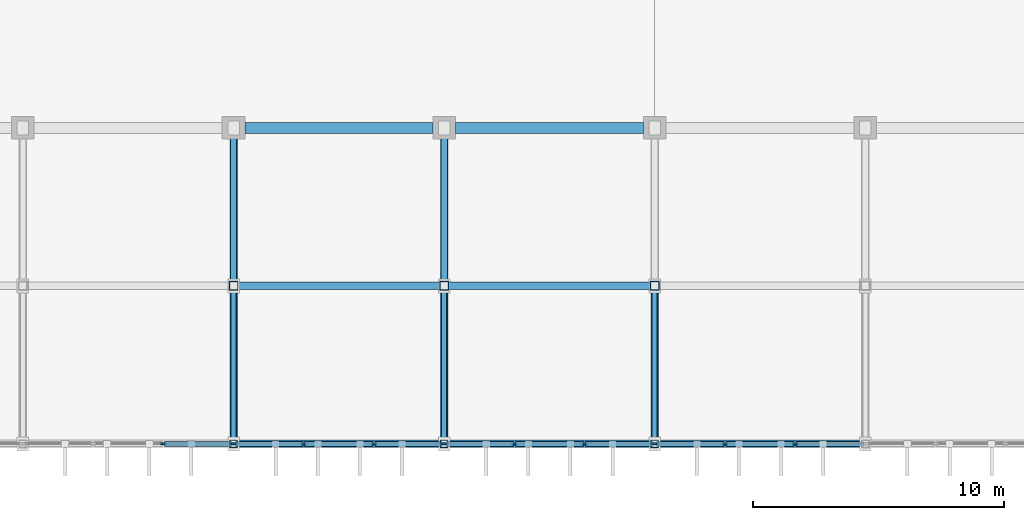
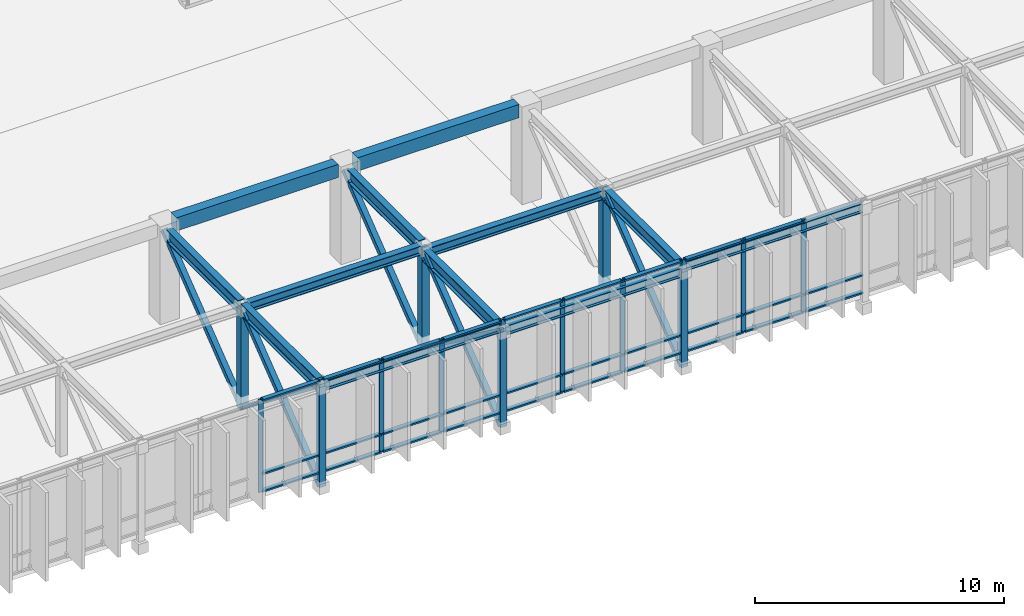
# One storey, part 11 of 51: 56 members, 12 beams, 4 elements without a shape of their own.
"""IFC4 building model written with IfcOpenShell, lengths in metres."""

import ifcopenshell
import ifcopenshell.guid

model = None  # the IFC model being written
_history = None  # IfcOwnerHistory: only IFC2X3 demands one
_inside = {}  # id of a spatial element -> (the spatial element, [elements in it])
_under = {}  # id of a project, library or spatial element -> (it, [spatial elements below it])
_declared = {}  # id of a project -> (the project, [libraries it declares])
_typed = {}  # id of a type object -> (the type object, [elements of that type])
_made_of = {}  # id of a material, layer set ... -> (it, [elements and type objects made of it])


def new_model(schema):
    """Start an empty IFC model of exactly this schema.

    Asked for "IFC4X3", IfcOpenShell would pick the latest addendum, in which some entities
    have other attributes; the version numbers below select the first issue.
    IFC2X3 requires an IfcOwnerHistory on every rooted entity: one is made here for all.
    """
    global model, _history
    if schema == "IFC4X3":
        model = ifcopenshell.file(schema_version=(4, 3, 0, 0))
    else:
        model = ifcopenshell.file(schema=schema)
    _inside.clear()
    _under.clear()
    _declared.clear()
    _typed.clear()
    _made_of.clear()
    _history = None
    if model.schema == "IFC2X3":
        org = make("IfcOrganization", Name="unknown")
        user = make(
            "IfcPersonAndOrganization",
            ThePerson=make("IfcPerson", FamilyName="unknown"),
            TheOrganization=org,
        )
        app = make(
            "IfcApplication",
            ApplicationDeveloper=org,
            Version="unknown",
            ApplicationFullName="unknown",
            ApplicationIdentifier="unknown",
        )
        _history = make(
            "IfcOwnerHistory",
            OwningUser=user,
            OwningApplication=app,
            ChangeAction="ADDED",
            CreationDate=0,
        )
    return model


def make(cls, **values):
    """One entity of the class cls with the attributes given. An attribute that is None is left unset."""
    return model.create_entity(
        cls, **{name: value for name, value in values.items() if value is not None}
    )


def rooted(cls, **values):
    """An entity with a GlobalId (a new one), such as an element, a storey or a relation."""
    return make(cls, GlobalId=ifcopenshell.guid.new(), OwnerHistory=_history, **values)


def si_unit(unit_type, name, prefix=None):
    """IfcSIUnit, for example si_unit("LENGTHUNIT", "METRE", prefix="MILLI")."""
    return make("IfcSIUnit", UnitType=unit_type, Prefix=prefix, Name=name)


def assignment(units):
    """IfcUnitAssignment: the units of a project."""
    return None if units is None else make("IfcUnitAssignment", Units=units)


def point(xyz):
    """IfcCartesianPoint."""
    return None if xyz is None else make("IfcCartesianPoint", Coordinates=xyz)


def direction(xyz):
    """IfcDirection."""
    return None if xyz is None else make("IfcDirection", DirectionRatios=xyz)


def frame(location, z_axis=None, x_axis=None):
    """IfcAxis2Placement3D, a coordinate frame: its origin and axes. An axis left out is left unset."""
    return make(
        "IfcAxis2Placement3D",
        Location=point(location),
        Axis=direction(z_axis),
        RefDirection=direction(x_axis),
    )


def frame_2d(location, x_axis=None):
    """IfcAxis2Placement2D, a coordinate frame in the plane: its origin and x axis."""
    return make(
        "IfcAxis2Placement2D", Location=point(location), RefDirection=direction(x_axis)
    )


def origin():
    """The frame at (0, 0, 0) with its axes left unset."""
    return frame((0.0, 0.0, 0.0))


def origin_2d():
    """The frame at (0, 0) in the plane with its x axis left unset."""
    return frame_2d((0.0, 0.0))


def place(relative_to, where):
    """IfcLocalPlacement: puts the frame where relative to a parent placement (None: the world)."""
    return make(
        "IfcLocalPlacement", PlacementRelTo=relative_to, RelativePlacement=where
    )


def context(
    kind, dimensions, precision=None, world=None, true_north=None, identifier=None
):
    """IfcGeometricRepresentationContext, for example the 3D "Model" context."""
    return make(
        "IfcGeometricRepresentationContext",
        ContextIdentifier=identifier,
        ContextType=kind,
        CoordinateSpaceDimension=dimensions,
        Precision=precision,
        WorldCoordinateSystem=world,
        TrueNorth=true_north,
    )


def subcontext(parent, identifier, kind, view, scale=None):
    """IfcGeometricRepresentationSubContext, for example "Body" below "Model"."""
    return make(
        "IfcGeometricRepresentationSubContext",
        ContextIdentifier=identifier,
        ContextType=kind,
        ParentContext=parent,
        TargetScale=scale,
        TargetView=view,
    )


def project(units=None, contexts=None):
    """IfcProject with its units and contexts."""
    return rooted(
        "IfcProject",
        Name="project",
        RepresentationContexts=contexts,
        UnitsInContext=assignment(units),
    )


def spatial(cls, under=None, at=None, **own):
    """A site, building, storey or space (cls), placed at a placement, below another one or the project."""
    s = rooted(cls, ObjectPlacement=at, **own)
    if under is not None:
        _under.setdefault(under.id(), (under, []))[1].append(s)
    return s


def profile(cls, at=None, kind="AREA", **sizes):
    """A parametric profile (cls). Its sizes go by their IFC names, for example OverallWidth=200.0."""
    return make(cls, ProfileType=kind, Position=at, **sizes)


def rectangle(**sizes):
    """IfcRectangleProfileDef."""
    return profile("IfcRectangleProfileDef", **sizes)


def hollow_rectangle(**sizes):
    """IfcRectangleHollowProfileDef."""
    return profile("IfcRectangleHollowProfileDef", **sizes)


def i_section(**sizes):
    """IfcIShapeProfileDef."""
    return profile("IfcIShapeProfileDef", **sizes)


def extrude(swept, where, along, depth):
    """IfcExtrudedAreaSolid: the profile swept, set in the frame where, extruded along a direction by depth."""
    return make(
        "IfcExtrudedAreaSolid",
        SweptArea=swept,
        Position=where,
        ExtrudedDirection=direction(along),
        Depth=depth,
    )


def shape(context_of_items, identifier, shape_type, items):
    """IfcShapeRepresentation: the items that make up one representation, for example the "Body"."""
    return make(
        "IfcShapeRepresentation",
        ContextOfItems=context_of_items,
        RepresentationIdentifier=identifier,
        RepresentationType=shape_type,
        Items=items,
    )


def material(Name=None, Category=None):
    """IfcMaterial."""
    return make("IfcMaterial", Name=Name, Category=Category)


def material_profile(
    of_material, cross_section, Name=None, Category=None, Priority=None
):
    """IfcMaterialProfile: a cross section and its material."""
    return make(
        "IfcMaterialProfile",
        Name=Name,
        Material=of_material,
        Profile=cross_section,
        Priority=Priority,
        Category=Category,
    )


def profile_set(profiles, Name=None, composite=None):
    """IfcMaterialProfileSet."""
    return make(
        "IfcMaterialProfileSet",
        Name=Name,
        MaterialProfiles=profiles,
        CompositeProfile=composite,
    )


def made_of(thing, what):
    """Note that an element or type object is made of a material, layer set ...; save() writes the relation."""
    if what is not None:
        _made_of.setdefault(what.id(), (what, []))[1].append(thing)
    return thing


def type_object(cls, material=None, **own):
    """A type object (cls), such as IfcWallType, which elements share."""
    return made_of(rooted(cls, **own), material)


def element(
    cls,
    number,
    at=None,
    inside=None,
    cuts=None,
    type_object=None,
    material=None,
    context=None,
    identifier="Body",
    shape_type=None,
    held_by="IfcProductDefinitionShape",
    body=None,
    shapes=None,
    **own,
):
    """One element of the class cls, such as IfcWall. Its Tag is "e" and its number.

    at: its placement. inside: the storey or other place that contains it. cuts: it is an
    opening in that element (IfcRelVoidsElement). A single representation is given by context,
    identifier, shape_type and body (its items); several are given by shapes. held_by: the class
    of the entity that holds the representations. save() writes the other relations.
    """
    e = rooted(cls, Tag="e%d" % number, ObjectPlacement=at, **own)
    if body is not None:
        shapes = [shape(context, identifier, shape_type, body)]
    if shapes is not None:
        e.Representation = make(held_by, Representations=shapes)
    if inside is not None:
        _inside.setdefault(inside.id(), (inside, []))[1].append(e)
    if cuts is not None:
        rooted(
            "IfcRelVoidsElement", RelatingBuildingElement=cuts, RelatedOpeningElement=e
        )
    if type_object is not None:
        _typed.setdefault(type_object.id(), (type_object, []))[1].append(e)
    return made_of(e, material)


def aggregate(whole, parts):
    """IfcRelAggregates: a whole, such as a stair, and the parts it consists of."""
    return rooted("IfcRelAggregates", RelatingObject=whole, RelatedObjects=parts)


def save(model, path):
    """Write the relations noted so far, then the file.

    IfcRelAggregates (storeys below a building ...), IfcRelContainedInSpatialStructure (elements
    in a storey), IfcRelDefinesByType, IfcRelAssociatesMaterial and IfcRelDeclares: one each for
    every whole, place, type object, material and project.
    """
    for whole, parts in _under.values():
        aggregate(whole, parts)
    for where, things in _inside.values():
        rooted(
            "IfcRelContainedInSpatialStructure",
            RelatedElements=things,
            RelatingStructure=where,
        )
    for kind, things in _typed.values():
        rooted("IfcRelDefinesByType", RelatedObjects=things, RelatingType=kind)
    for what, things in _made_of.values():
        rooted("IfcRelAssociatesMaterial", RelatedObjects=things, RelatingMaterial=what)
    for by, libraries in _declared.values():
        rooted("IfcRelDeclares", RelatingContext=by, RelatedDefinitions=libraries)
    model.write(path)


model = new_model("IFC4")

# Units and contexts
model_context = context("Model", 3, precision=1e-05, world=origin(), true_north=direction((0.0, 1.0)))
body_context = subcontext(model_context, "Body", "Model", "MODEL_VIEW")
ifc_project = project(units=[si_unit("LENGTHUNIT", "METRE"), si_unit("AREAUNIT", "SQUARE_METRE"), si_unit("VOLUMEUNIT", "CUBIC_METRE"), si_unit("PLANEANGLEUNIT", "RADIAN"), si_unit("MASSUNIT", "GRAM", prefix="KILO")], contexts=[model_context])

# Site, building, storey
site_placement = place(None, origin())
site = spatial("IfcSite", under=ifc_project, at=site_placement, CompositionType="ELEMENT")
building_placement = place(site_placement, origin())
building = spatial("IfcBuilding", under=site, at=building_placement, Name="Kenerak Square Central Library", CompositionType="ELEMENT")
storey_placement = place(building_placement, frame((0.0, 0.0, 9.60009765625)))
storey = spatial("IfcBuildingStorey", under=building, at=storey_placement, Name="L02", CompositionType="ELEMENT", Elevation=9.60009765625)

# Curtain wall, members
ifc_material_1 = material(Name="Anodised aluminium and solar-control low-E glazing", Category="aluminium")
curtain_wall_type = type_object("IfcCurtainWallType", Name="Curtain Wall CW-V1-84x45 8400x4550", PredefinedType="USERDEFINED", material=ifc_material_1)
curtain_wall_1_placement = place(storey_placement, origin())
curtain_wall_1 = element("IfcCurtainWall", 1, at=curtain_wall_1_placement, inside=storey, type_object=curtain_wall_type, Name="Curtain Wall CW-V1-84x45 L02 0099", ObjectType="CURTAIN WALL", PredefinedType="USERDEFINED")
ifc_material_2 = material(Name="Anodised aluminium 6063-T6", Category="aluminium")
ifc_material_profile_1 = material_profile(ifc_material_2, rectangle(XDim=0.074951171875, YDim=0.219970703125, at=origin_2d()), Name="AL MULLION 75x220")
ifc_profile_set_1 = profile_set([ifc_material_profile_1], Name="Anodised aluminium 6063-T6")
member_type_1 = type_object("IfcMemberType", Name="Curtain Mullion CM-02 75x220", PredefinedType="MULLION", material=ifc_profile_set_1)
member_1_placement = place(storey_placement, frame((97.60009765625, 4.199951171875, 0.0), z_axis=(0.0, 0.0, 1.0), x_axis=(0.0, -1.0, 0.0)))
member_1 = element("IfcMember", 2, at=member_1_placement, type_object=member_type_1, Name="CW-V1-84x45 Mullion 2", PredefinedType="MULLION", context=body_context, shape_type="SweptSolid", body=[
    extrude(rectangle(XDim=0.074951171875, YDim=0.219970703125, at=origin_2d()), origin(), (0.0, 0.0, 1.0), 4.5498046875),
])
member_2_placement = place(storey_placement, frame((94.800048828125, 4.199951171875, 0.0), z_axis=(0.0, 0.0, 1.0), x_axis=(0.0, -1.0, 0.0)))
member_2 = element("IfcMember", 3, at=member_2_placement, type_object=member_type_1, Name="CW-V1-84x45 Mullion 3", PredefinedType="MULLION", context=body_context, shape_type="SweptSolid", body=[
    extrude(rectangle(XDim=0.074951171875, YDim=0.219970703125, at=origin_2d()), origin(), (0.0, 0.0, 1.0), 4.5498046875),
])
member_3_placement = place(storey_placement, frame((92.03759765625, 4.199951171875, 0.0), z_axis=(0.0, 0.0, 1.0), x_axis=(0.0, -1.0, 0.0)))
member_3 = element("IfcMember", 4, at=member_3_placement, type_object=member_type_1, Name="CW-V1-84x45 Mullion 4", PredefinedType="MULLION", context=body_context, shape_type="SweptSolid", body=[
    extrude(rectangle(XDim=0.074951171875, YDim=0.219970703125, at=origin_2d()), origin(), (0.0, 0.0, 1.0), 4.5498046875),
])

curtain_wall_2_placement = place(storey_placement, origin())
curtain_wall_2 = element("IfcCurtainWall", 5, at=curtain_wall_2_placement, inside=storey, type_object=curtain_wall_type, Name="Curtain Wall CW-V1-84x45 L02 0100", ObjectType="CURTAIN WALL", PredefinedType="USERDEFINED")
member_4_placement = place(storey_placement, frame((91.96240234375, 4.199951171875, 0.0), z_axis=(0.0, 0.0, 1.0), x_axis=(0.0, -1.0, 0.0)))
member_4 = element("IfcMember", 6, at=member_4_placement, type_object=member_type_1, Name="CW-V1-84x45 Mullion 1", PredefinedType="MULLION", context=body_context, shape_type="SweptSolid", body=[
    extrude(rectangle(XDim=0.074951171875, YDim=0.219970703125, at=origin_2d()), origin(), (0.0, 0.0, 1.0), 4.5498046875),
])
member_5_placement = place(storey_placement, frame((89.199951171875, 4.199951171875, 0.0), z_axis=(0.0, 0.0, 1.0), x_axis=(0.0, -1.0, 0.0)))
member_5 = element("IfcMember", 7, at=member_5_placement, type_object=member_type_1, Name="CW-V1-84x45 Mullion 2", PredefinedType="MULLION", context=body_context, shape_type="SweptSolid", body=[
    extrude(rectangle(XDim=0.074951171875, YDim=0.219970703125, at=origin_2d()), origin(), (0.0, 0.0, 1.0), 4.5498046875),
])
member_6_placement = place(storey_placement, frame((86.39990234375, 4.199951171875, 0.0), z_axis=(0.0, 0.0, 1.0), x_axis=(0.0, -1.0, 0.0)))
member_6 = element("IfcMember", 8, at=member_6_placement, type_object=member_type_1, Name="CW-V1-84x45 Mullion 3", PredefinedType="MULLION", context=body_context, shape_type="SweptSolid", body=[
    extrude(rectangle(XDim=0.074951171875, YDim=0.219970703125, at=origin_2d()), origin(), (0.0, 0.0, 1.0), 4.5498046875),
])
member_7_placement = place(storey_placement, frame((83.637451171875, 4.199951171875, 0.0), z_axis=(0.0, 0.0, 1.0), x_axis=(0.0, -1.0, 0.0)))
member_7 = element("IfcMember", 9, at=member_7_placement, type_object=member_type_1, Name="CW-V1-84x45 Mullion 4", PredefinedType="MULLION", context=body_context, shape_type="SweptSolid", body=[
    extrude(rectangle(XDim=0.074951171875, YDim=0.219970703125, at=origin_2d()), origin(), (0.0, 0.0, 1.0), 4.5498046875),
])

curtain_wall_3_placement = place(storey_placement, origin())
curtain_wall_3 = element("IfcCurtainWall", 10, at=curtain_wall_3_placement, inside=storey, type_object=curtain_wall_type, Name="Curtain Wall CW-V1-84x45 L02 0101", ObjectType="CURTAIN WALL", PredefinedType="USERDEFINED")
member_8_placement = place(storey_placement, frame((83.5625, 4.199951171875, 0.0), z_axis=(0.0, 0.0, 1.0), x_axis=(0.0, -1.0, 0.0)))
member_8 = element("IfcMember", 11, at=member_8_placement, type_object=member_type_1, Name="CW-V1-84x45 Mullion 1", PredefinedType="MULLION", context=body_context, shape_type="SweptSolid", body=[
    extrude(rectangle(XDim=0.074951171875, YDim=0.219970703125, at=origin_2d()), origin(), (0.0, 0.0, 1.0), 4.5498046875),
])
member_9_placement = place(storey_placement, frame((80.800048828125, 4.199951171875, 0.0), z_axis=(0.0, 0.0, 1.0), x_axis=(0.0, -1.0, 0.0)))
member_9 = element("IfcMember", 12, at=member_9_placement, type_object=member_type_1, Name="CW-V1-84x45 Mullion 2", PredefinedType="MULLION", context=body_context, shape_type="SweptSolid", body=[
    extrude(rectangle(XDim=0.074951171875, YDim=0.219970703125, at=origin_2d()), origin(), (0.0, 0.0, 1.0), 4.5498046875),
])
member_10_placement = place(storey_placement, frame((78.0, 4.199951171875, 0.0), z_axis=(0.0, 0.0, 1.0), x_axis=(0.0, -1.0, 0.0)))
member_10 = element("IfcMember", 13, at=member_10_placement, type_object=member_type_1, Name="CW-V1-84x45 Mullion 3", PredefinedType="MULLION", context=body_context, shape_type="SweptSolid", body=[
    extrude(rectangle(XDim=0.074951171875, YDim=0.219970703125, at=origin_2d()), origin(), (0.0, 0.0, 1.0), 4.5498046875),
])
member_11_placement = place(storey_placement, frame((75.237548828125, 4.199951171875, 0.0), z_axis=(0.0, 0.0, 1.0), x_axis=(0.0, -1.0, 0.0)))
member_11 = element("IfcMember", 14, at=member_11_placement, type_object=member_type_1, Name="CW-V1-84x45 Mullion 4", PredefinedType="MULLION", context=body_context, shape_type="SweptSolid", body=[
    extrude(rectangle(XDim=0.074951171875, YDim=0.219970703125, at=origin_2d()), origin(), (0.0, 0.0, 1.0), 4.5498046875),
])

curtain_wall_4_placement = place(storey_placement, origin())
curtain_wall_4 = element("IfcCurtainWall", 15, at=curtain_wall_4_placement, inside=storey, type_object=curtain_wall_type, Name="Curtain Wall CW-V1-84x45 L02 0102", ObjectType="CURTAIN WALL", PredefinedType="USERDEFINED")
member_12_placement = place(storey_placement, frame((75.16259765625, 4.199951171875, 0.0), z_axis=(0.0, 0.0, 1.0), x_axis=(0.0, -1.0, 0.0)))
member_12 = element("IfcMember", 16, at=member_12_placement, type_object=member_type_1, Name="CW-V1-84x45 Mullion 1", PredefinedType="MULLION", context=body_context, shape_type="SweptSolid", body=[
    extrude(rectangle(XDim=0.074951171875, YDim=0.219970703125, at=origin_2d()), origin(), (0.0, 0.0, 1.0), 4.5498046875),
])
member_13_placement = place(storey_placement, frame((72.39990234375, 4.199951171875, 0.0), z_axis=(0.0, 0.0, 1.0), x_axis=(0.0, -1.0, 0.0)))
member_13 = element("IfcMember", 17, at=member_13_placement, type_object=member_type_1, Name="CW-V1-84x45 Mullion 2", PredefinedType="MULLION", context=body_context, shape_type="SweptSolid", body=[
    extrude(rectangle(XDim=0.074951171875, YDim=0.219970703125, at=origin_2d()), origin(), (0.0, 0.0, 1.0), 4.5498046875),
])

# Member
ifc_material_profile_2 = material_profile(ifc_material_2, rectangle(XDim=0.199951171875, YDim=0.074951171875, at=origin_2d()), Name="AL TRANSOM 200x75")
ifc_profile_set_2 = profile_set([ifc_material_profile_2], Name="Anodised aluminium 6063-T6")
member_type_2 = type_object("IfcMemberType", Name="Curtain Transom CT-12 200x75", PredefinedType="USERDEFINED", material=ifc_profile_set_2)
member_14_placement = place(storey_placement, frame((100.324951171875, 4.199951171875, 0.037353515625), z_axis=(-1.0, 0.0, 0.0), x_axis=(0.0, -1.0, 0.0)))
member_14 = element("IfcMember", 18, at=member_14_placement, type_object=member_type_2, Name="CW-V1-84x45 Transom 1.1", ObjectType="TRANSOM", PredefinedType="USERDEFINED", context=body_context, shape_type="SweptSolid", body=[
    extrude(rectangle(XDim=0.199951171875, YDim=0.074951171875, at=origin_2d()), origin(), (0.0, 0.0, 1.0), 2.6875),
])

member_15_placement = place(storey_placement, frame((100.324951171875, 4.199951171875, 0.89990234375), z_axis=(-1.0, 0.0, 0.0), x_axis=(0.0, -1.0, 0.0)))
member_15 = element("IfcMember", 19, at=member_15_placement, type_object=member_type_2, Name="CW-V1-84x45 Transom 1.2", ObjectType="TRANSOM", PredefinedType="USERDEFINED", context=body_context, shape_type="SweptSolid", body=[
    extrude(rectangle(XDim=0.199951171875, YDim=0.074951171875, at=origin_2d()), origin(), (0.0, 0.0, 1.0), 2.6875),
])

member_16_placement = place(storey_placement, frame((97.5625, 4.199951171875, 0.037353515625), z_axis=(-1.0, 0.0, 0.0), x_axis=(0.0, -1.0, 0.0)))
member_16 = element("IfcMember", 20, at=member_16_placement, type_object=member_type_2, Name="CW-V1-84x45 Transom 2.1", ObjectType="TRANSOM", PredefinedType="USERDEFINED", context=body_context, shape_type="SweptSolid", body=[
    extrude(rectangle(XDim=0.199951171875, YDim=0.074951171875, at=origin_2d()), origin(), (0.0, 0.0, 1.0), 2.72509765625),
])

member_17_placement = place(storey_placement, frame((97.5625, 4.199951171875, 0.89990234375), z_axis=(-1.0, 0.0, 0.0), x_axis=(0.0, -1.0, 0.0)))
member_17 = element("IfcMember", 21, at=member_17_placement, type_object=member_type_2, Name="CW-V1-84x45 Transom 2.2", ObjectType="TRANSOM", PredefinedType="USERDEFINED", context=body_context, shape_type="SweptSolid", body=[
    extrude(rectangle(XDim=0.199951171875, YDim=0.074951171875, at=origin_2d()), origin(), (0.0, 0.0, 1.0), 2.72509765625),
])

member_18_placement = place(storey_placement, frame((97.5625, 4.199951171875, 4.512451171875), z_axis=(-1.0, 0.0, 0.0), x_axis=(0.0, -1.0, 0.0)))
member_18 = element("IfcMember", 22, at=member_18_placement, type_object=member_type_2, Name="CW-V1-84x45 Transom 2.3", ObjectType="TRANSOM", PredefinedType="USERDEFINED", context=body_context, shape_type="SweptSolid", body=[
    extrude(rectangle(XDim=0.199951171875, YDim=0.074951171875, at=origin_2d()), origin(), (0.0, 0.0, 1.0), 2.72509765625),
])

member_19_placement = place(storey_placement, frame((94.762451171875, 4.199951171875, 0.037353515625), z_axis=(-1.0, 0.0, 0.0), x_axis=(0.0, -1.0, 0.0)))
member_19 = element("IfcMember", 23, at=member_19_placement, type_object=member_type_2, Name="CW-V1-84x45 Transom 3.1", ObjectType="TRANSOM", PredefinedType="USERDEFINED", context=body_context, shape_type="SweptSolid", body=[
    extrude(rectangle(XDim=0.199951171875, YDim=0.074951171875, at=origin_2d()), origin(), (0.0, 0.0, 1.0), 2.6875),
])

member_20_placement = place(storey_placement, frame((94.762451171875, 4.199951171875, 0.89990234375), z_axis=(-1.0, 0.0, 0.0), x_axis=(0.0, -1.0, 0.0)))
member_20 = element("IfcMember", 24, at=member_20_placement, type_object=member_type_2, Name="CW-V1-84x45 Transom 3.2", ObjectType="TRANSOM", PredefinedType="USERDEFINED", context=body_context, shape_type="SweptSolid", body=[
    extrude(rectangle(XDim=0.199951171875, YDim=0.074951171875, at=origin_2d()), origin(), (0.0, 0.0, 1.0), 2.6875),
])

member_21_placement = place(storey_placement, frame((94.762451171875, 4.199951171875, 4.512451171875), z_axis=(-1.0, 0.0, 0.0), x_axis=(0.0, -1.0, 0.0)))
member_21 = element("IfcMember", 25, at=member_21_placement, type_object=member_type_2, Name="CW-V1-84x45 Transom 3.3", ObjectType="TRANSOM", PredefinedType="USERDEFINED", context=body_context, shape_type="SweptSolid", body=[
    extrude(rectangle(XDim=0.199951171875, YDim=0.074951171875, at=origin_2d()), origin(), (0.0, 0.0, 1.0), 2.6875),
])

aggregate(curtain_wall_1, [member_1, member_2, member_3, member_14, member_15, member_16, member_17, member_18, member_19, member_20, member_21])

member_22_placement = place(storey_placement, frame((91.925048828125, 4.199951171875, 0.037353515625), z_axis=(-1.0, 0.0, 0.0), x_axis=(0.0, -1.0, 0.0)))
member_22 = element("IfcMember", 26, at=member_22_placement, type_object=member_type_2, Name="CW-V1-84x45 Transom 1.1", ObjectType="TRANSOM", PredefinedType="USERDEFINED", context=body_context, shape_type="SweptSolid", body=[
    extrude(rectangle(XDim=0.199951171875, YDim=0.074951171875, at=origin_2d()), origin(), (0.0, 0.0, 1.0), 2.6875),
])

member_23_placement = place(storey_placement, frame((91.925048828125, 4.199951171875, 0.89990234375), z_axis=(-1.0, 0.0, 0.0), x_axis=(0.0, -1.0, 0.0)))
member_23 = element("IfcMember", 27, at=member_23_placement, type_object=member_type_2, Name="CW-V1-84x45 Transom 1.2", ObjectType="TRANSOM", PredefinedType="USERDEFINED", context=body_context, shape_type="SweptSolid", body=[
    extrude(rectangle(XDim=0.199951171875, YDim=0.074951171875, at=origin_2d()), origin(), (0.0, 0.0, 1.0), 2.6875),
])

member_24_placement = place(storey_placement, frame((91.925048828125, 4.199951171875, 4.512451171875), z_axis=(-1.0, 0.0, 0.0), x_axis=(0.0, -1.0, 0.0)))
member_24 = element("IfcMember", 28, at=member_24_placement, type_object=member_type_2, Name="CW-V1-84x45 Transom 1.3", ObjectType="TRANSOM", PredefinedType="USERDEFINED", context=body_context, shape_type="SweptSolid", body=[
    extrude(rectangle(XDim=0.199951171875, YDim=0.074951171875, at=origin_2d()), origin(), (0.0, 0.0, 1.0), 2.6875),
])

member_25_placement = place(storey_placement, frame((89.16259765625, 4.199951171875, 0.037353515625), z_axis=(-1.0, 0.0, 0.0), x_axis=(0.0, -1.0, 0.0)))
member_25 = element("IfcMember", 29, at=member_25_placement, type_object=member_type_2, Name="CW-V1-84x45 Transom 2.1", ObjectType="TRANSOM", PredefinedType="USERDEFINED", context=body_context, shape_type="SweptSolid", body=[
    extrude(rectangle(XDim=0.199951171875, YDim=0.074951171875, at=origin_2d()), origin(), (0.0, 0.0, 1.0), 2.72509765625),
])

member_26_placement = place(storey_placement, frame((89.16259765625, 4.199951171875, 0.89990234375), z_axis=(-1.0, 0.0, 0.0), x_axis=(0.0, -1.0, 0.0)))
member_26 = element("IfcMember", 30, at=member_26_placement, type_object=member_type_2, Name="CW-V1-84x45 Transom 2.2", ObjectType="TRANSOM", PredefinedType="USERDEFINED", context=body_context, shape_type="SweptSolid", body=[
    extrude(rectangle(XDim=0.199951171875, YDim=0.074951171875, at=origin_2d()), origin(), (0.0, 0.0, 1.0), 2.72509765625),
])

member_27_placement = place(storey_placement, frame((89.16259765625, 4.199951171875, 4.512451171875), z_axis=(-1.0, 0.0, 0.0), x_axis=(0.0, -1.0, 0.0)))
member_27 = element("IfcMember", 31, at=member_27_placement, type_object=member_type_2, Name="CW-V1-84x45 Transom 2.3", ObjectType="TRANSOM", PredefinedType="USERDEFINED", context=body_context, shape_type="SweptSolid", body=[
    extrude(rectangle(XDim=0.199951171875, YDim=0.074951171875, at=origin_2d()), origin(), (0.0, 0.0, 1.0), 2.72509765625),
])

member_28_placement = place(storey_placement, frame((86.362548828125, 4.199951171875, 0.037353515625), z_axis=(-1.0, 0.0, 0.0), x_axis=(0.0, -1.0, 0.0)))
member_28 = element("IfcMember", 32, at=member_28_placement, type_object=member_type_2, Name="CW-V1-84x45 Transom 3.1", ObjectType="TRANSOM", PredefinedType="USERDEFINED", context=body_context, shape_type="SweptSolid", body=[
    extrude(rectangle(XDim=0.199951171875, YDim=0.074951171875, at=origin_2d()), origin(), (0.0, 0.0, 1.0), 2.6875),
])

member_29_placement = place(storey_placement, frame((86.362548828125, 4.199951171875, 0.89990234375), z_axis=(-1.0, 0.0, 0.0), x_axis=(0.0, -1.0, 0.0)))
member_29 = element("IfcMember", 33, at=member_29_placement, type_object=member_type_2, Name="CW-V1-84x45 Transom 3.2", ObjectType="TRANSOM", PredefinedType="USERDEFINED", context=body_context, shape_type="SweptSolid", body=[
    extrude(rectangle(XDim=0.199951171875, YDim=0.074951171875, at=origin_2d()), origin(), (0.0, 0.0, 1.0), 2.6875),
])

member_30_placement = place(storey_placement, frame((86.362548828125, 4.199951171875, 4.512451171875), z_axis=(-1.0, 0.0, 0.0), x_axis=(0.0, -1.0, 0.0)))
member_30 = element("IfcMember", 34, at=member_30_placement, type_object=member_type_2, Name="CW-V1-84x45 Transom 3.3", ObjectType="TRANSOM", PredefinedType="USERDEFINED", context=body_context, shape_type="SweptSolid", body=[
    extrude(rectangle(XDim=0.199951171875, YDim=0.074951171875, at=origin_2d()), origin(), (0.0, 0.0, 1.0), 2.6875),
])

aggregate(curtain_wall_2, [member_4, member_5, member_6, member_7, member_22, member_23, member_24, member_25, member_26, member_27, member_28, member_29, member_30])

member_31_placement = place(storey_placement, frame((83.52490234375, 4.199951171875, 0.037353515625), z_axis=(-1.0, 0.0, 0.0), x_axis=(0.0, -1.0, 0.0)))
member_31 = element("IfcMember", 35, at=member_31_placement, type_object=member_type_2, Name="CW-V1-84x45 Transom 1.1", ObjectType="TRANSOM", PredefinedType="USERDEFINED", context=body_context, shape_type="SweptSolid", body=[
    extrude(rectangle(XDim=0.199951171875, YDim=0.074951171875, at=origin_2d()), origin(), (0.0, 0.0, 1.0), 2.6875),
])

member_32_placement = place(storey_placement, frame((83.52490234375, 4.199951171875, 0.89990234375), z_axis=(-1.0, 0.0, 0.0), x_axis=(0.0, -1.0, 0.0)))
member_32 = element("IfcMember", 36, at=member_32_placement, type_object=member_type_2, Name="CW-V1-84x45 Transom 1.2", ObjectType="TRANSOM", PredefinedType="USERDEFINED", context=body_context, shape_type="SweptSolid", body=[
    extrude(rectangle(XDim=0.199951171875, YDim=0.074951171875, at=origin_2d()), origin(), (0.0, 0.0, 1.0), 2.6875),
])

member_33_placement = place(storey_placement, frame((83.52490234375, 4.199951171875, 4.512451171875), z_axis=(-1.0, 0.0, 0.0), x_axis=(0.0, -1.0, 0.0)))
member_33 = element("IfcMember", 37, at=member_33_placement, type_object=member_type_2, Name="CW-V1-84x45 Transom 1.3", ObjectType="TRANSOM", PredefinedType="USERDEFINED", context=body_context, shape_type="SweptSolid", body=[
    extrude(rectangle(XDim=0.199951171875, YDim=0.074951171875, at=origin_2d()), origin(), (0.0, 0.0, 1.0), 2.6875),
])

member_34_placement = place(storey_placement, frame((80.762451171875, 4.199951171875, 0.037353515625), z_axis=(-1.0, 0.0, 0.0), x_axis=(0.0, -1.0, 0.0)))
member_34 = element("IfcMember", 38, at=member_34_placement, type_object=member_type_2, Name="CW-V1-84x45 Transom 2.1", ObjectType="TRANSOM", PredefinedType="USERDEFINED", context=body_context, shape_type="SweptSolid", body=[
    extrude(rectangle(XDim=0.199951171875, YDim=0.074951171875, at=origin_2d()), origin(), (0.0, 0.0, 1.0), 2.724853515625),
])

member_35_placement = place(storey_placement, frame((80.762451171875, 4.199951171875, 0.89990234375), z_axis=(-1.0, 0.0, 0.0), x_axis=(0.0, -1.0, 0.0)))
member_35 = element("IfcMember", 39, at=member_35_placement, type_object=member_type_2, Name="CW-V1-84x45 Transom 2.2", ObjectType="TRANSOM", PredefinedType="USERDEFINED", context=body_context, shape_type="SweptSolid", body=[
    extrude(rectangle(XDim=0.199951171875, YDim=0.074951171875, at=origin_2d()), origin(), (0.0, 0.0, 1.0), 2.724853515625),
])

member_36_placement = place(storey_placement, frame((80.762451171875, 4.199951171875, 4.512451171875), z_axis=(-1.0, 0.0, 0.0), x_axis=(0.0, -1.0, 0.0)))
member_36 = element("IfcMember", 40, at=member_36_placement, type_object=member_type_2, Name="CW-V1-84x45 Transom 2.3", ObjectType="TRANSOM", PredefinedType="USERDEFINED", context=body_context, shape_type="SweptSolid", body=[
    extrude(rectangle(XDim=0.199951171875, YDim=0.074951171875, at=origin_2d()), origin(), (0.0, 0.0, 1.0), 2.724853515625),
])

member_37_placement = place(storey_placement, frame((77.96240234375, 4.199951171875, 0.037353515625), z_axis=(-1.0, 0.0, 0.0), x_axis=(0.0, -1.0, 0.0)))
member_37 = element("IfcMember", 41, at=member_37_placement, type_object=member_type_2, Name="CW-V1-84x45 Transom 3.1", ObjectType="TRANSOM", PredefinedType="USERDEFINED", context=body_context, shape_type="SweptSolid", body=[
    extrude(rectangle(XDim=0.199951171875, YDim=0.074951171875, at=origin_2d()), origin(), (0.0, 0.0, 1.0), 2.6875),
])

member_38_placement = place(storey_placement, frame((77.96240234375, 4.199951171875, 0.89990234375), z_axis=(-1.0, 0.0, 0.0), x_axis=(0.0, -1.0, 0.0)))
member_38 = element("IfcMember", 42, at=member_38_placement, type_object=member_type_2, Name="CW-V1-84x45 Transom 3.2", ObjectType="TRANSOM", PredefinedType="USERDEFINED", context=body_context, shape_type="SweptSolid", body=[
    extrude(rectangle(XDim=0.199951171875, YDim=0.074951171875, at=origin_2d()), origin(), (0.0, 0.0, 1.0), 2.6875),
])

member_39_placement = place(storey_placement, frame((77.96240234375, 4.199951171875, 4.512451171875), z_axis=(-1.0, 0.0, 0.0), x_axis=(0.0, -1.0, 0.0)))
member_39 = element("IfcMember", 43, at=member_39_placement, type_object=member_type_2, Name="CW-V1-84x45 Transom 3.3", ObjectType="TRANSOM", PredefinedType="USERDEFINED", context=body_context, shape_type="SweptSolid", body=[
    extrude(rectangle(XDim=0.199951171875, YDim=0.074951171875, at=origin_2d()), origin(), (0.0, 0.0, 1.0), 2.6875),
])

aggregate(curtain_wall_3, [member_8, member_9, member_10, member_11, member_31, member_32, member_33, member_34, member_35, member_36, member_37, member_38, member_39])

member_40_placement = place(storey_placement, frame((75.125, 4.199951171875, 0.037353515625), z_axis=(-1.0, 0.0, 0.0), x_axis=(0.0, -1.0, 0.0)))
member_40 = element("IfcMember", 44, at=member_40_placement, type_object=member_type_2, Name="CW-V1-84x45 Transom 1.1", ObjectType="TRANSOM", PredefinedType="USERDEFINED", context=body_context, shape_type="SweptSolid", body=[
    extrude(rectangle(XDim=0.199951171875, YDim=0.074951171875, at=origin_2d()), origin(), (0.0, 0.0, 1.0), 2.6875),
])

member_41_placement = place(storey_placement, frame((75.125, 4.199951171875, 0.89990234375), z_axis=(-1.0, 0.0, 0.0), x_axis=(0.0, -1.0, 0.0)))
member_41 = element("IfcMember", 45, at=member_41_placement, type_object=member_type_2, Name="CW-V1-84x45 Transom 1.2", ObjectType="TRANSOM", PredefinedType="USERDEFINED", context=body_context, shape_type="SweptSolid", body=[
    extrude(rectangle(XDim=0.199951171875, YDim=0.074951171875, at=origin_2d()), origin(), (0.0, 0.0, 1.0), 2.6875),
])

member_42_placement = place(storey_placement, frame((75.125, 4.199951171875, 4.512451171875), z_axis=(-1.0, 0.0, 0.0), x_axis=(0.0, -1.0, 0.0)))
member_42 = element("IfcMember", 46, at=member_42_placement, type_object=member_type_2, Name="CW-V1-84x45 Transom 1.3", ObjectType="TRANSOM", PredefinedType="USERDEFINED", context=body_context, shape_type="SweptSolid", body=[
    extrude(rectangle(XDim=0.199951171875, YDim=0.074951171875, at=origin_2d()), origin(), (0.0, 0.0, 1.0), 2.6875),
])

aggregate(curtain_wall_4, [member_12, member_13, member_40, member_41, member_42])

# Beams
ifc_material_3 = material(Name="Concrete C40/50", Category="concrete")
ifc_material_profile_3 = material_profile(ifc_material_3, rectangle(XDim=0.449951171875, YDim=0.64990234375, at=origin_2d()), Name="RC 450x650")
ifc_profile_set_3 = profile_set([ifc_material_profile_3], Name="Concrete C40/50")
beam_type_1 = type_object("IfcBeamType", Name="Mezzanine Frame Beam B-06 RC 450x650 C40/50", PredefinedType="BEAM", material=ifc_profile_set_3)
for number, where, z_axis, x_axis, name in (
    (47, (75.64990234375, 16.800048828125, 4.474853515625), (1.0, 0.0, 0.0), (0.0, 1.0, 0.0), "Beam B-06 L02 1192"),
    (48, (84.050048828125, 16.800048828125, 4.474853515625), (1.0, 0.0, 0.0), (0.0, 1.0, 0.0), "Beam B-06 L02 1193"),
):
    element("IfcBeam", number, at=place(storey_placement, frame(where, z_axis=z_axis, x_axis=x_axis)), inside=storey, type_object=beam_type_1, Name=name, PredefinedType="BEAM", context=body_context, shape_type="SweptSolid", body=[
        extrude(rectangle(XDim=0.449951171875, YDim=0.64990234375, at=origin_2d()), origin(), (0.0, 0.0, 1.0), 7.5),
    ])
ifc_material_4 = material(Name="Steel S355", Category="steel")
ifc_material_profile_4 = material_profile(ifc_material_4, i_section(OverallWidth=0.300048828125, OverallDepth=0.449951171875, WebThickness=0.013916015625, FlangeThickness=0.02587890625, FilletRadius=0.027099609375, at=origin_2d()), Name="HEB 450")
ifc_profile_set_4 = profile_set([ifc_material_profile_4], Name="Steel S355")
beam_type_2 = type_object("IfcBeamType", Name="Overhang Cross Girder SB-04 HEB 450 S355", PredefinedType="BEAM", material=ifc_profile_set_4)
for number, where, z_axis, x_axis, name in (
    (49, (75.320068359375, 4.199951171875, 4.25), (1.0, 0.0, 0.0), (0.0, 1.0, 0.0), "Overhang Cross Girder SB-04 L02 1721"),
    (50, (83.719970703125, 4.199951171875, 4.02001953125), (1.0, 0.0, 0.0), (0.0, 1.0, 0.0), "Overhang Cross Girder SB-04 L02 1722"),
    (51, (92.1201171875, 4.199951171875, 4.25), (1.0, 0.0, 0.0), (0.0, 1.0, 0.0), "Overhang Cross Girder SB-04 L02 1723"),
    (52, (75.320068359375, 10.5, 4.25), (1.0, 0.0, 0.0), (0.0, 1.0, 0.0), "Overhang Cross Girder SB-04 L02 1728"),
    (53, (83.719970703125, 10.5, 4.02001953125), (1.0, 0.0, 0.0), (0.0, 1.0, 0.0), "Overhang Cross Girder SB-04 L02 1729"),
):
    element("IfcBeam", number, at=place(storey_placement, frame(where, z_axis=z_axis, x_axis=x_axis)), inside=storey, type_object=beam_type_2, Name=name, PredefinedType="BEAM", context=body_context, shape_type="SweptSolid", body=[
        extrude(i_section(OverallWidth=0.300048828125, OverallDepth=0.449951171875, WebThickness=0.013916015625, FlangeThickness=0.02587890625, FilletRadius=0.027099609375, at=origin_2d()), origin(), (0.0, 0.0, 1.0), 8.159912109375),
    ])
ifc_material_profile_5 = material_profile(ifc_material_4, i_section(OverallWidth=0.300048828125, OverallDepth=0.60009765625, WebThickness=0.015380859375, FlangeThickness=0.030029296875, FilletRadius=0.027099609375, at=origin_2d()), Name="HEB 600")
ifc_profile_set_5 = profile_set([ifc_material_profile_5], Name="Steel S355")
beam_type_3 = type_object("IfcBeamType", Name="Overhang Truss Chord SB-02 HEB 600 S355", PredefinedType="BEAM", material=ifc_profile_set_5)
beam_1_placement = place(storey_placement, frame((75.199951171875, 4.320068359375, 4.25), z_axis=(0.0, 1.0, 0.0), x_axis=(-1.0, 0.0, 0.0)))
element("IfcBeam", 54, at=beam_1_placement, inside=storey, type_object=beam_type_3, Name="Wall-Truss Chord 3 L02 037", PredefinedType="BEAM", context=body_context, shape_type="SweptSolid", body=[
    extrude(i_section(OverallWidth=0.300048828125, OverallDepth=0.60009765625, WebThickness=0.015380859375, FlangeThickness=0.030029296875, FilletRadius=0.027099609375, at=origin_2d()), origin(), (0.0, 0.0, 1.0), 6.059814453125),
])
beam_2_placement = place(storey_placement, frame((75.199951171875, 10.6201171875, 4.25), z_axis=(0.0, 1.0, 0.0), x_axis=(-1.0, 0.0, 0.0)))
element("IfcBeam", 55, at=beam_2_placement, inside=storey, type_object=beam_type_3, Name="Wall-Truss Chord 3 L02 038", PredefinedType="BEAM", context=body_context, shape_type="SweptSolid", body=[
    extrude(i_section(OverallWidth=0.300048828125, OverallDepth=0.60009765625, WebThickness=0.015380859375, FlangeThickness=0.030029296875, FilletRadius=0.027099609375, at=origin_2d()), origin(), (0.0, 0.0, 1.0), 5.77978515625),
])
beam_3_placement = place(storey_placement, frame((83.60009765625, 4.320068359375, 4.02001953125), z_axis=(0.0, 1.0, 0.0), x_axis=(-1.0, 0.0, 0.0)))
element("IfcBeam", 56, at=beam_3_placement, inside=storey, type_object=beam_type_3, Name="Wall-Truss Chord 4 L02 053", PredefinedType="BEAM", context=body_context, shape_type="SweptSolid", body=[
    extrude(i_section(OverallWidth=0.300048828125, OverallDepth=0.60009765625, WebThickness=0.015380859375, FlangeThickness=0.030029296875, FilletRadius=0.027099609375, at=origin_2d()), origin(), (0.0, 0.0, 1.0), 6.059814453125),
])
beam_4_placement = place(storey_placement, frame((83.60009765625, 10.6201171875, 4.25), z_axis=(0.0, 1.0, 0.0), x_axis=(-1.0, 0.0, 0.0)))
element("IfcBeam", 57, at=beam_4_placement, inside=storey, type_object=beam_type_3, Name="Wall-Truss Chord 4 L02 054", PredefinedType="BEAM", context=body_context, shape_type="SweptSolid", body=[
    extrude(i_section(OverallWidth=0.300048828125, OverallDepth=0.60009765625, WebThickness=0.015380859375, FlangeThickness=0.030029296875, FilletRadius=0.027099609375, at=origin_2d()), origin(), (0.0, 0.0, 1.0), 5.77978515625),
])
beam_5_placement = place(storey_placement, frame((92.0, 4.320068359375, 4.02001953125), z_axis=(0.0, 1.0, 0.0), x_axis=(-1.0, 0.0, 0.0)))
element("IfcBeam", 58, at=beam_5_placement, inside=storey, type_object=beam_type_3, Name="Wall-Truss Chord 5 L02 069", PredefinedType="BEAM", context=body_context, shape_type="SweptSolid", body=[
    extrude(i_section(OverallWidth=0.300048828125, OverallDepth=0.60009765625, WebThickness=0.015380859375, FlangeThickness=0.030029296875, FilletRadius=0.027099609375, at=origin_2d()), origin(), (0.0, 0.0, 1.0), 6.059814453125),
])

# Members
ifc_material_profile_6 = material_profile(ifc_material_4, hollow_rectangle(XDim=0.199951171875, YDim=0.199951171875, WallThickness=0.010009765625, at=origin_2d()), Name="SHS 200x200x10.0")
ifc_profile_set_6 = profile_set([ifc_material_profile_6], Name="Steel S355")
member_type_3 = type_object("IfcMemberType", Name="Secondary Truss Brace TM-04 SHS 200x200x10 S355", PredefinedType="BRACE", material=ifc_profile_set_6)
member_43_placement = place(storey_placement, frame((75.199951171875, 4.199951171875, 4.25), z_axis=(0.0, 0.78934562896, -0.613949084242), x_axis=(-1.0, 0.0, 0.0)))
element("IfcMember", 59, at=member_43_placement, inside=storey, type_object=member_type_3, Name="Overhang Counter Brace TM-04 03", PredefinedType="BRACE", context=body_context, shape_type="SweptSolid", body=[
    extrude(hollow_rectangle(XDim=0.199951171875, YDim=0.199951171875, WallThickness=0.010009765625, at=origin_2d()), origin(), (0.0, 0.0, 1.0), 7.9814453125),
])
for number, where, z_axis, x_axis, name in (
    (60, (83.60009765625, 4.199951171875, 4.02001953125), (0.0, 0.803345923472, -0.595512659178), (-1.0, 0.0, 0.0), "Overhang Counter Brace TM-04 04"),
    (61, (92.0, 4.199951171875, 4.02001953125), (0.0, 0.803345923472, -0.595512659178), (-1.0, 0.0, 0.0), "Overhang Counter Brace TM-04 05"),
):
    element("IfcMember", number, at=place(storey_placement, frame(where, z_axis=z_axis, x_axis=x_axis)), inside=storey, type_object=member_type_3, Name=name, PredefinedType="BRACE", context=body_context, shape_type="SweptSolid", body=[
        extrude(hollow_rectangle(XDim=0.199951171875, YDim=0.199951171875, WallThickness=0.010009765625, at=origin_2d()), origin(), (0.0, 0.0, 1.0), 7.84228515625),
    ])
ifc_material_profile_7 = material_profile(ifc_material_4, hollow_rectangle(XDim=0.35009765625, YDim=0.35009765625, WallThickness=0.01611328125, at=origin_2d()), Name="SHS 350x350x16.0")
ifc_profile_set_7 = profile_set([ifc_material_profile_7], Name="Steel S355")
member_type_4 = type_object("IfcMemberType", Name="Wall-Truss Heavy Post TM-01 SHS 350x350x16 S355", PredefinedType="STRUT", material=ifc_profile_set_7)
for number, where, z_axis, x_axis, name in (
    (62, (75.199951171875, 10.5, -0.650146484375), (0.0, 0.0, 1.0), (1.0, 0.0, 0.0), "Wall-Truss Post 3 L02 042"),
    (63, (83.60009765625, 10.5, -0.650146484375), (0.0, 0.0, 1.0), (1.0, 0.0, 0.0), "Wall-Truss Post 4 L02 058"),
    (64, (92.0, 10.5, -0.650146484375), (0.0, 0.0, 1.0), (1.0, 0.0, 0.0), "Wall-Truss Post 5 L02 074"),
):
    element("IfcMember", number, at=place(storey_placement, frame(where, z_axis=z_axis, x_axis=x_axis)), inside=storey, type_object=member_type_4, Name=name, PredefinedType="STRUT", context=body_context, shape_type="SweptSolid", body=[
        extrude(hollow_rectangle(XDim=0.35009765625, YDim=0.35009765625, WallThickness=0.01611328125, at=origin_2d()), origin(), (0.0, 0.0, 1.0), 4.900146484375),
    ])
ifc_material_profile_8 = material_profile(ifc_material_4, hollow_rectangle(XDim=0.300048828125, YDim=0.300048828125, WallThickness=0.012451171875, at=origin_2d()), Name="SHS 300x300x12.5")
ifc_profile_set_8 = profile_set([ifc_material_profile_8], Name="Steel S355")
member_type_5 = type_object("IfcMemberType", Name="Wall-Truss Vertical Post TM-02 SHS 300x300x12.5 S355", PredefinedType="STRUT", material=ifc_profile_set_8)
member_44_placement = place(storey_placement, frame((75.199951171875, 4.199951171875, -0.650146484375), z_axis=(0.0, 0.0, 1.0), x_axis=(1.0, 0.0, 0.0)))
element("IfcMember", 65, at=member_44_placement, inside=storey, type_object=member_type_5, Name="Wall-Truss Post 3 L02 041", PredefinedType="STRUT", context=body_context, shape_type="SweptSolid", body=[
    extrude(hollow_rectangle(XDim=0.300048828125, YDim=0.300048828125, WallThickness=0.012451171875, at=origin_2d()), origin(), (0.0, 0.0, 1.0), 4.900146484375),
])
for number, where, z_axis, x_axis, name in (
    (66, (83.60009765625, 4.199951171875, -0.650146484375), (0.0, 0.0, 1.0), (1.0, 0.0, 0.0), "Wall-Truss Post 4 L02 057"),
    (67, (92.0, 4.199951171875, -0.650146484375), (0.0, 0.0, 1.0), (1.0, 0.0, 0.0), "Wall-Truss Post 5 L02 073"),
):
    element("IfcMember", number, at=place(storey_placement, frame(where, z_axis=z_axis, x_axis=x_axis)), inside=storey, type_object=member_type_5, Name=name, PredefinedType="STRUT", context=body_context, shape_type="SweptSolid", body=[
        extrude(hollow_rectangle(XDim=0.300048828125, YDim=0.300048828125, WallThickness=0.012451171875, at=origin_2d()), origin(), (0.0, 0.0, 1.0), 4.670166015625),
    ])
ifc_material_profile_9 = material_profile(ifc_material_4, hollow_rectangle(XDim=0.25, YDim=0.25, WallThickness=0.010009765625, at=origin_2d()), Name="SHS 250x250x10.0")
ifc_profile_set_9 = profile_set([ifc_material_profile_9], Name="Steel S355")
member_type_6 = type_object("IfcMemberType", Name="Wall-Truss Web Diagonal TM-03 SHS 250x250x10 S355", PredefinedType="BRACE", material=ifc_profile_set_9)
for number, where, z_axis, x_axis, name in (
    (68, (75.199951171875, 4.199951171875, -0.650146484375), (0.0, 0.78934562896, 0.613949084242), (-1.0, 0.0, 0.0), "Wall-Truss Diagonal 3 L02 043"),
    (69, (75.199951171875, 10.5, -0.650146484375), (0.0, 0.78934562896, 0.613949084242), (-1.0, 0.0, 0.0), "Wall-Truss Diagonal 3 L02 044"),
    (70, (83.60009765625, 4.199951171875, -0.650146484375), (0.0, 0.78934562896, 0.613949084242), (-1.0, 0.0, 0.0), "Wall-Truss Diagonal 4 L02 059"),
    (71, (83.60009765625, 10.5, -0.650146484375), (0.0, 0.78934562896, 0.613949084242), (-1.0, 0.0, 0.0), "Wall-Truss Diagonal 4 L02 060"),
    (72, (92.0, 4.199951171875, -0.650146484375), (0.0, 0.78934562896, 0.613949084242), (-1.0, 0.0, 0.0), "Wall-Truss Diagonal 5 L02 075"),
):
    element("IfcMember", number, at=place(storey_placement, frame(where, z_axis=z_axis, x_axis=x_axis)), inside=storey, type_object=member_type_6, Name=name, PredefinedType="BRACE", context=body_context, shape_type="SweptSolid", body=[
        extrude(hollow_rectangle(XDim=0.25, YDim=0.25, WallThickness=0.010009765625, at=origin_2d()), origin(), (0.0, 0.0, 1.0), 7.9814453125),
    ])

save(model, "model.ifc")
